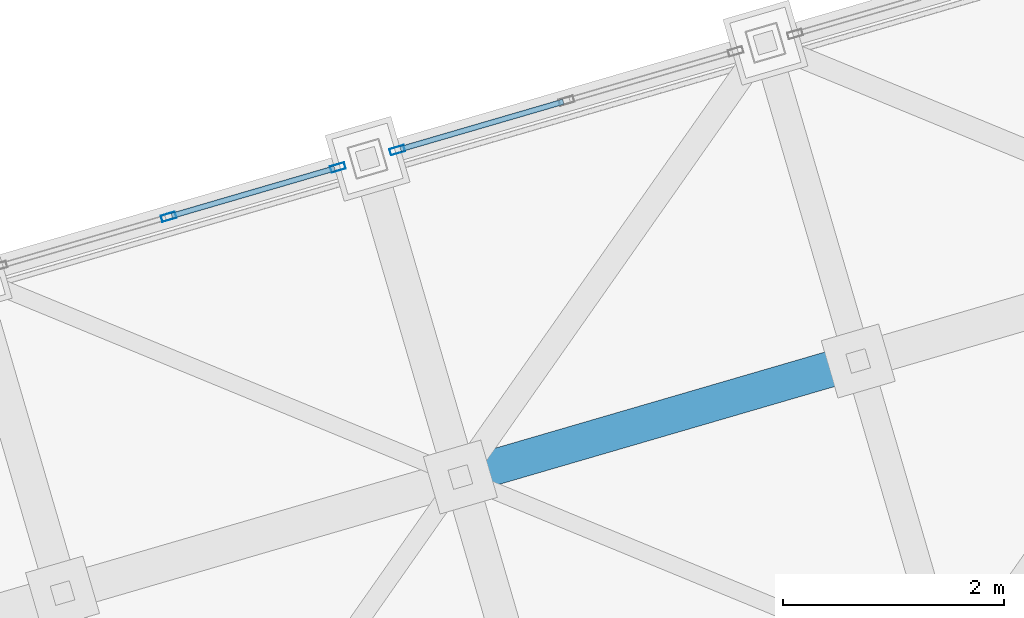
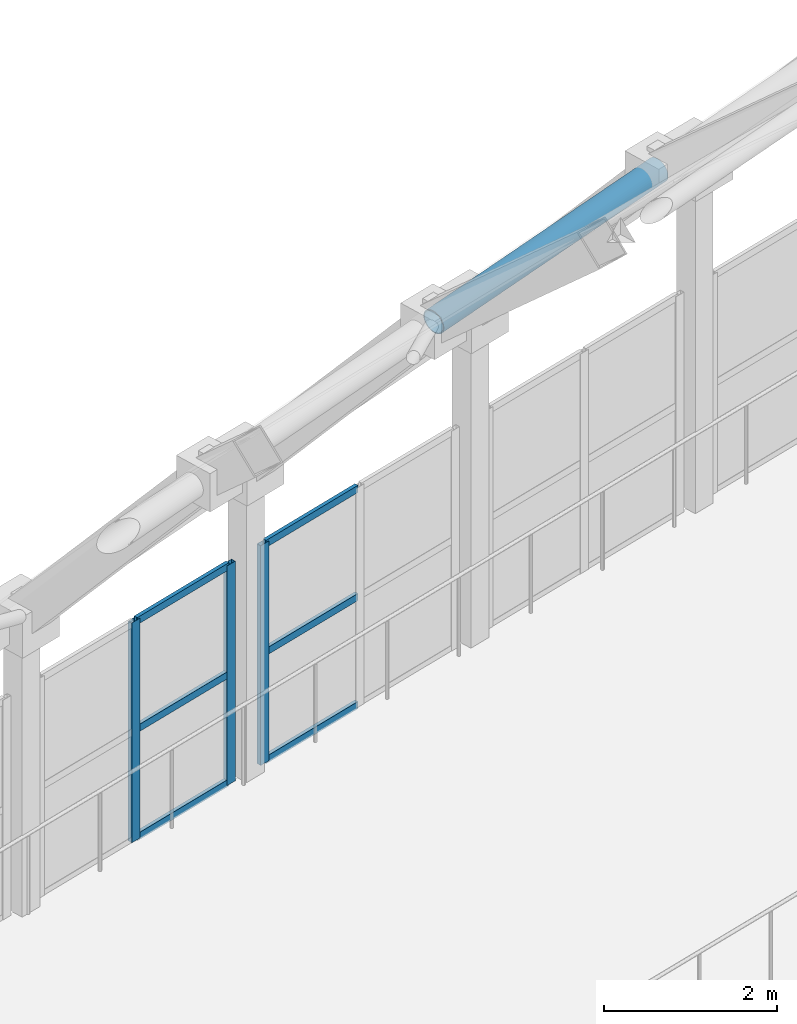
# One storey, part 55 of 248: 10 members, 2 elements without a shape of their own.
"""IFC4 building model written with IfcOpenShell, lengths in metres."""

import ifcopenshell
import ifcopenshell.guid

model = None  # the IFC model being written
_history = None  # IfcOwnerHistory: only IFC2X3 demands one
_inside = {}  # id of a spatial element -> (the spatial element, [elements in it])
_under = {}  # id of a project, library or spatial element -> (it, [spatial elements below it])
_declared = {}  # id of a project -> (the project, [libraries it declares])
_typed = {}  # id of a type object -> (the type object, [elements of that type])
_made_of = {}  # id of a material, layer set ... -> (it, [elements and type objects made of it])


def new_model(schema):
    """Start an empty IFC model of exactly this schema.

    Asked for "IFC4X3", IfcOpenShell would pick the latest addendum, in which some entities
    have other attributes; the version numbers below select the first issue.
    IFC2X3 requires an IfcOwnerHistory on every rooted entity: one is made here for all.
    """
    global model, _history
    if schema == "IFC4X3":
        model = ifcopenshell.file(schema_version=(4, 3, 0, 0))
    else:
        model = ifcopenshell.file(schema=schema)
    _inside.clear()
    _under.clear()
    _declared.clear()
    _typed.clear()
    _made_of.clear()
    _history = None
    if model.schema == "IFC2X3":
        org = make("IfcOrganization", Name="unknown")
        user = make(
            "IfcPersonAndOrganization",
            ThePerson=make("IfcPerson", FamilyName="unknown"),
            TheOrganization=org,
        )
        app = make(
            "IfcApplication",
            ApplicationDeveloper=org,
            Version="unknown",
            ApplicationFullName="unknown",
            ApplicationIdentifier="unknown",
        )
        _history = make(
            "IfcOwnerHistory",
            OwningUser=user,
            OwningApplication=app,
            ChangeAction="ADDED",
            CreationDate=0,
        )
    return model


def make(cls, **values):
    """One entity of the class cls with the attributes given. An attribute that is None is left unset."""
    return model.create_entity(
        cls, **{name: value for name, value in values.items() if value is not None}
    )


def rooted(cls, **values):
    """An entity with a GlobalId (a new one), such as an element, a storey or a relation."""
    return make(cls, GlobalId=ifcopenshell.guid.new(), OwnerHistory=_history, **values)


def si_unit(unit_type, name, prefix=None):
    """IfcSIUnit, for example si_unit("LENGTHUNIT", "METRE", prefix="MILLI")."""
    return make("IfcSIUnit", UnitType=unit_type, Prefix=prefix, Name=name)


def assignment(units):
    """IfcUnitAssignment: the units of a project."""
    return None if units is None else make("IfcUnitAssignment", Units=units)


def point(xyz):
    """IfcCartesianPoint."""
    return None if xyz is None else make("IfcCartesianPoint", Coordinates=xyz)


def direction(xyz):
    """IfcDirection."""
    return None if xyz is None else make("IfcDirection", DirectionRatios=xyz)


def frame(location, z_axis=None, x_axis=None):
    """IfcAxis2Placement3D, a coordinate frame: its origin and axes. An axis left out is left unset."""
    return make(
        "IfcAxis2Placement3D",
        Location=point(location),
        Axis=direction(z_axis),
        RefDirection=direction(x_axis),
    )


def frame_2d(location, x_axis=None):
    """IfcAxis2Placement2D, a coordinate frame in the plane: its origin and x axis."""
    return make(
        "IfcAxis2Placement2D", Location=point(location), RefDirection=direction(x_axis)
    )


def origin():
    """The frame at (0, 0, 0) with its axes left unset."""
    return frame((0.0, 0.0, 0.0))


def origin_2d():
    """The frame at (0, 0) in the plane with its x axis left unset."""
    return frame_2d((0.0, 0.0))


def place(relative_to, where):
    """IfcLocalPlacement: puts the frame where relative to a parent placement (None: the world)."""
    return make(
        "IfcLocalPlacement", PlacementRelTo=relative_to, RelativePlacement=where
    )


def context(
    kind, dimensions, precision=None, world=None, true_north=None, identifier=None
):
    """IfcGeometricRepresentationContext, for example the 3D "Model" context."""
    return make(
        "IfcGeometricRepresentationContext",
        ContextIdentifier=identifier,
        ContextType=kind,
        CoordinateSpaceDimension=dimensions,
        Precision=precision,
        WorldCoordinateSystem=world,
        TrueNorth=true_north,
    )


def subcontext(parent, identifier, kind, view, scale=None):
    """IfcGeometricRepresentationSubContext, for example "Body" below "Model"."""
    return make(
        "IfcGeometricRepresentationSubContext",
        ContextIdentifier=identifier,
        ContextType=kind,
        ParentContext=parent,
        TargetScale=scale,
        TargetView=view,
    )


def project(units=None, contexts=None):
    """IfcProject with its units and contexts."""
    return rooted(
        "IfcProject",
        Name="project",
        RepresentationContexts=contexts,
        UnitsInContext=assignment(units),
    )


def spatial(cls, under=None, at=None, **own):
    """A site, building, storey or space (cls), placed at a placement, below another one or the project."""
    s = rooted(cls, ObjectPlacement=at, **own)
    if under is not None:
        _under.setdefault(under.id(), (under, []))[1].append(s)
    return s


def profile(cls, at=None, kind="AREA", **sizes):
    """A parametric profile (cls). Its sizes go by their IFC names, for example OverallWidth=200.0."""
    return make(cls, ProfileType=kind, Position=at, **sizes)


def hollow_rectangle(**sizes):
    """IfcRectangleHollowProfileDef."""
    return profile("IfcRectangleHollowProfileDef", **sizes)


def hollow_circle(**sizes):
    """IfcCircleHollowProfileDef."""
    return profile("IfcCircleHollowProfileDef", **sizes)


def extrude(swept, where, along, depth):
    """IfcExtrudedAreaSolid: the profile swept, set in the frame where, extruded along a direction by depth."""
    return make(
        "IfcExtrudedAreaSolid",
        SweptArea=swept,
        Position=where,
        ExtrudedDirection=direction(along),
        Depth=depth,
    )


def shape(context_of_items, identifier, shape_type, items):
    """IfcShapeRepresentation: the items that make up one representation, for example the "Body"."""
    return make(
        "IfcShapeRepresentation",
        ContextOfItems=context_of_items,
        RepresentationIdentifier=identifier,
        RepresentationType=shape_type,
        Items=items,
    )


def material(Name=None, Category=None):
    """IfcMaterial."""
    return make("IfcMaterial", Name=Name, Category=Category)


def layer(
    of_material, thickness, ventilated=None, Name=None, Category=None, Priority=None
):
    """IfcMaterialLayer: one layer of a wall or slab, of a material (None: an air gap)."""
    return make(
        "IfcMaterialLayer",
        Material=of_material,
        LayerThickness=thickness,
        IsVentilated=ventilated,
        Name=Name,
        Category=Category,
        Priority=Priority,
    )


def layer_set(layers, Name=None):
    """IfcMaterialLayerSet."""
    return make("IfcMaterialLayerSet", MaterialLayers=layers, LayerSetName=Name)


def material_profile(
    of_material, cross_section, Name=None, Category=None, Priority=None
):
    """IfcMaterialProfile: a cross section and its material."""
    return make(
        "IfcMaterialProfile",
        Name=Name,
        Material=of_material,
        Profile=cross_section,
        Priority=Priority,
        Category=Category,
    )


def profile_set(profiles, Name=None, composite=None):
    """IfcMaterialProfileSet."""
    return make(
        "IfcMaterialProfileSet",
        Name=Name,
        MaterialProfiles=profiles,
        CompositeProfile=composite,
    )


def made_of(thing, what):
    """Note that an element or type object is made of a material, layer set ...; save() writes the relation."""
    if what is not None:
        _made_of.setdefault(what.id(), (what, []))[1].append(thing)
    return thing


def type_object(cls, material=None, **own):
    """A type object (cls), such as IfcWallType, which elements share."""
    return made_of(rooted(cls, **own), material)


def element(
    cls,
    number,
    at=None,
    inside=None,
    cuts=None,
    type_object=None,
    material=None,
    context=None,
    identifier="Body",
    shape_type=None,
    held_by="IfcProductDefinitionShape",
    body=None,
    shapes=None,
    **own,
):
    """One element of the class cls, such as IfcWall. Its Tag is "e" and its number.

    at: its placement. inside: the storey or other place that contains it. cuts: it is an
    opening in that element (IfcRelVoidsElement). A single representation is given by context,
    identifier, shape_type and body (its items); several are given by shapes. held_by: the class
    of the entity that holds the representations. save() writes the other relations.
    """
    e = rooted(cls, Tag="e%d" % number, ObjectPlacement=at, **own)
    if body is not None:
        shapes = [shape(context, identifier, shape_type, body)]
    if shapes is not None:
        e.Representation = make(held_by, Representations=shapes)
    if inside is not None:
        _inside.setdefault(inside.id(), (inside, []))[1].append(e)
    if cuts is not None:
        rooted(
            "IfcRelVoidsElement", RelatingBuildingElement=cuts, RelatedOpeningElement=e
        )
    if type_object is not None:
        _typed.setdefault(type_object.id(), (type_object, []))[1].append(e)
    return made_of(e, material)


def aggregate(whole, parts):
    """IfcRelAggregates: a whole, such as a stair, and the parts it consists of."""
    return rooted("IfcRelAggregates", RelatingObject=whole, RelatedObjects=parts)


def save(model, path):
    """Write the relations noted so far, then the file.

    IfcRelAggregates (storeys below a building ...), IfcRelContainedInSpatialStructure (elements
    in a storey), IfcRelDefinesByType, IfcRelAssociatesMaterial and IfcRelDeclares: one each for
    every whole, place, type object, material and project.
    """
    for whole, parts in _under.values():
        aggregate(whole, parts)
    for where, things in _inside.values():
        rooted(
            "IfcRelContainedInSpatialStructure",
            RelatedElements=things,
            RelatingStructure=where,
        )
    for kind, things in _typed.values():
        rooted("IfcRelDefinesByType", RelatedObjects=things, RelatingType=kind)
    for what, things in _made_of.values():
        rooted("IfcRelAssociatesMaterial", RelatedObjects=things, RelatingMaterial=what)
    for by, libraries in _declared.values():
        rooted("IfcRelDeclares", RelatingContext=by, RelatedDefinitions=libraries)
    model.write(path)


model = new_model("IFC4")

# Units and contexts
model_context = context("Model", 3, precision=1e-05, world=origin(), true_north=direction((0.0, 1.0)))
body_context = subcontext(model_context, "Body", "Model", "MODEL_VIEW")
ifc_project = project(units=[si_unit("LENGTHUNIT", "METRE"), si_unit("AREAUNIT", "SQUARE_METRE"), si_unit("VOLUMEUNIT", "CUBIC_METRE"), si_unit("PLANEANGLEUNIT", "RADIAN"), si_unit("MASSUNIT", "GRAM", prefix="KILO")], contexts=[model_context])

# Site, building, storey
site_placement = place(None, origin())
site = spatial("IfcSite", under=ifc_project, at=site_placement, CompositionType="ELEMENT")
building_placement = place(site_placement, origin())
building = spatial("IfcBuilding", under=site, at=building_placement, Name="Canggui Botanical Conservatory", CompositionType="ELEMENT")
storey_placement = place(building_placement, frame((0.0, 0.0, 5.39990234375)))
storey = spatial("IfcBuildingStorey", under=building, at=storey_placement, Name="L02", CompositionType="ELEMENT", Elevation=5.39990234375)

# Curtain wall, members
ifc_material_1 = material(Name="Thermally Broken Aluminium", Category="aluminium")
ifc_layer = layer(ifc_material_1, 0.135009765625, Name="Thermally Broken Aluminium", Category="aluminium")
ifc_layer_set = layer_set([ifc_layer], Name="Thermally Broken Aluminium")
curtain_wall_type = type_object("IfcCurtainWallType", Name="CW-STICK-A", PredefinedType="USERDEFINED", material=ifc_layer_set)
curtain_wall_1_placement = place(storey_placement, origin())
curtain_wall_1 = element("IfcCurtainWall", 1, at=curtain_wall_1_placement, inside=storey, type_object=curtain_wall_type, Name="Facade Curtain Wall CW-CONS-L02-V1-03", ObjectType="STICK GLAZED WALL", PredefinedType="USERDEFINED")
ifc_material_profile_1 = material_profile(ifc_material_1, hollow_rectangle(XDim=0.06005859375, YDim=0.135009765625, WallThickness=0.00341796875, at=origin_2d()), Name="CWM 60x135x3.5")
ifc_profile_set_1 = profile_set([ifc_material_profile_1], Name="Thermally Broken Aluminium")
member_type_1 = type_object("IfcMemberType", Name="CWM-04", PredefinedType="MULLION", material=ifc_profile_set_1)
member_1_placement = place(storey_placement, frame((20.60009765625, 73.425048828125, 0.0), z_axis=(0.0, 0.0, 1.0), x_axis=(-0.279999999995, 0.960000000002, 0.0)))
member_1 = element("IfcMember", 2, at=member_1_placement, type_object=member_type_1, Name="CW-04 mullion 2", PredefinedType="MULLION", context=body_context, shape_type="SweptSolid", body=[
    extrude(hollow_rectangle(XDim=0.06005859375, YDim=0.135009765625, WallThickness=0.00341796875, at=origin_2d()), origin(), (0.0, 0.0, 1.0), 3.10009765625),
])
member_2_placement = place(storey_placement, frame((22.131103515625, 73.87158203125, 0.0), z_axis=(0.0, 0.0, 1.0), x_axis=(-0.279999999995, 0.960000000002, 0.0)))
member_2 = element("IfcMember", 3, at=member_2_placement, type_object=member_type_1, Name="CW-04 mullion 3", PredefinedType="MULLION", context=body_context, shape_type="SweptSolid", body=[
    extrude(hollow_rectangle(XDim=0.06005859375, YDim=0.135009765625, WallThickness=0.00341796875, at=origin_2d()), origin(), (0.0, 0.0, 1.0), 3.10009765625),
])

# Curtain wall, member
curtain_wall_2_placement = place(storey_placement, origin())
curtain_wall_2 = element("IfcCurtainWall", 4, at=curtain_wall_2_placement, inside=storey, type_object=curtain_wall_type, Name="Facade Curtain Wall CW-CONS-L02-V1-04", ObjectType="STICK GLAZED WALL", PredefinedType="USERDEFINED")
member_3_placement = place(storey_placement, frame((22.668701171875, 74.0283203125, 0.0), z_axis=(0.0, 0.0, 1.0), x_axis=(-0.279999999995, 0.960000000002, 0.0)))
member_3 = element("IfcMember", 5, at=member_3_placement, type_object=member_type_1, Name="CW-04 mullion 1", PredefinedType="MULLION", context=body_context, shape_type="SweptSolid", body=[
    extrude(hollow_rectangle(XDim=0.06005859375, YDim=0.135009765625, WallThickness=0.00341796875, at=origin_2d()), origin(), (0.0, 0.0, 1.0), 3.10009765625),
])

# Member
ifc_material_profile_2 = material_profile(ifc_material_1, hollow_rectangle(XDim=0.050048828125, YDim=0.10009765625, WallThickness=0.0029296875, at=origin_2d()), Name="CWT 50x100x3")
ifc_profile_set_2 = profile_set([ifc_material_profile_2], Name="Thermally Broken Aluminium")
member_type_2 = type_object("IfcMemberType", Name="CWT-04", PredefinedType="USERDEFINED", material=ifc_profile_set_2)
member_4_placement = place(storey_placement, frame((20.62890625, 73.433349609375, 0.025146484375), z_axis=(0.95996614364, 0.28011605285, 0.0), x_axis=(-0.28011605285, 0.95996614364, 0.0)))
member_4 = element("IfcMember", 6, at=member_4_placement, type_object=member_type_2, Name="CW-04 transom 2.1", ObjectType="TRANSOM", PredefinedType="USERDEFINED", context=body_context, shape_type="SweptSolid", body=[
    extrude(hollow_rectangle(XDim=0.050048828125, YDim=0.10009765625, WallThickness=0.0029296875, at=origin_2d()), origin(), (0.0, 0.0, 1.0), 1.534912109375),
])

member_5_placement = place(storey_placement, frame((20.62890625, 73.433349609375, 1.550048828125), z_axis=(0.95996614364, 0.28011605285, 0.0), x_axis=(-0.28011605285, 0.95996614364, 0.0)))
member_5 = element("IfcMember", 7, at=member_5_placement, type_object=member_type_2, Name="CW-04 transom 2.2", ObjectType="TRANSOM", PredefinedType="USERDEFINED", context=body_context, shape_type="SweptSolid", body=[
    extrude(hollow_rectangle(XDim=0.050048828125, YDim=0.10009765625, WallThickness=0.0029296875, at=origin_2d()), origin(), (0.0, 0.0, 1.0), 1.534912109375),
])

member_6_placement = place(storey_placement, frame((20.62890625, 73.433349609375, 3.0751953125), z_axis=(0.95996614364, 0.28011605285, 0.0), x_axis=(-0.28011605285, 0.95996614364, 0.0)))
member_6 = element("IfcMember", 8, at=member_6_placement, type_object=member_type_2, Name="CW-04 transom 2.3", ObjectType="TRANSOM", PredefinedType="USERDEFINED", context=body_context, shape_type="SweptSolid", body=[
    extrude(hollow_rectangle(XDim=0.050048828125, YDim=0.10009765625, WallThickness=0.0029296875, at=origin_2d()), origin(), (0.0, 0.0, 1.0), 1.534912109375),
])

aggregate(curtain_wall_1, [member_1, member_2, member_4, member_5, member_6])

member_7_placement = place(storey_placement, frame((22.697509765625, 74.036865234375, 0.025146484375), z_axis=(0.960021373424, 0.279926709282, 0.0), x_axis=(-0.279926709282, 0.960021373424, 0.0)))
member_7 = element("IfcMember", 9, at=member_7_placement, type_object=member_type_2, Name="CW-04 transom 1.1", ObjectType="TRANSOM", PredefinedType="USERDEFINED", context=body_context, shape_type="SweptSolid", body=[
    extrude(hollow_rectangle(XDim=0.050048828125, YDim=0.10009765625, WallThickness=0.0029296875, at=origin_2d()), origin(), (0.0, 0.0, 1.0), 1.534912109375),
])

member_8_placement = place(storey_placement, frame((22.697509765625, 74.036865234375, 1.550048828125), z_axis=(0.960021373424, 0.279926709282, 0.0), x_axis=(-0.279926709282, 0.960021373424, 0.0)))
member_8 = element("IfcMember", 10, at=member_8_placement, type_object=member_type_2, Name="CW-04 transom 1.2", ObjectType="TRANSOM", PredefinedType="USERDEFINED", context=body_context, shape_type="SweptSolid", body=[
    extrude(hollow_rectangle(XDim=0.050048828125, YDim=0.10009765625, WallThickness=0.0029296875, at=origin_2d()), origin(), (0.0, 0.0, 1.0), 1.534912109375),
])

member_9_placement = place(storey_placement, frame((22.697509765625, 74.036865234375, 3.0751953125), z_axis=(0.960021373424, 0.279926709282, 0.0), x_axis=(-0.279926709282, 0.960021373424, 0.0)))
member_9 = element("IfcMember", 11, at=member_9_placement, type_object=member_type_2, Name="CW-04 transom 1.3", ObjectType="TRANSOM", PredefinedType="USERDEFINED", context=body_context, shape_type="SweptSolid", body=[
    extrude(hollow_rectangle(XDim=0.050048828125, YDim=0.10009765625, WallThickness=0.0029296875, at=origin_2d()), origin(), (0.0, 0.0, 1.0), 1.534912109375),
])

aggregate(curtain_wall_2, [member_3, member_7, member_8, member_9])

ifc_material_2 = material(Name="Steel Q355C", Category="steel")
ifc_material_profile_3 = material_profile(ifc_material_2, hollow_circle(Radius=0.16259765625, WallThickness=0.011962890625, at=origin_2d()), Name="CHS 325x12")
ifc_profile_set_3 = profile_set([ifc_material_profile_3], Name="Steel Q355C")
member_type_3 = type_object("IfcMemberType", Name="MEM-GSC01", PredefinedType="CHORD", material=ifc_profile_set_3)
member_10_placement = place(storey_placement, frame((23.239990234375, 71.070068359375, 7.80615234375), z_axis=(0.957872417874, 0.27938486839, 0.066517113516), x_axis=(-0.280004999853, 0.959998541695, 0.0)))
element("IfcMember", 12, at=member_10_placement, inside=storey, type_object=member_type_3, Name="Conservatory Gridshell Longitudinal Chord 4-9", PredefinedType="CHORD", context=body_context, shape_type="SweptSolid", body=[
    extrude(hollow_circle(Radius=0.16259765625, WallThickness=0.011962890625, at=origin_2d()), origin(), (0.0, 0.0, 1.0), 3.758544921875),
])

save(model, "model.ifc")
